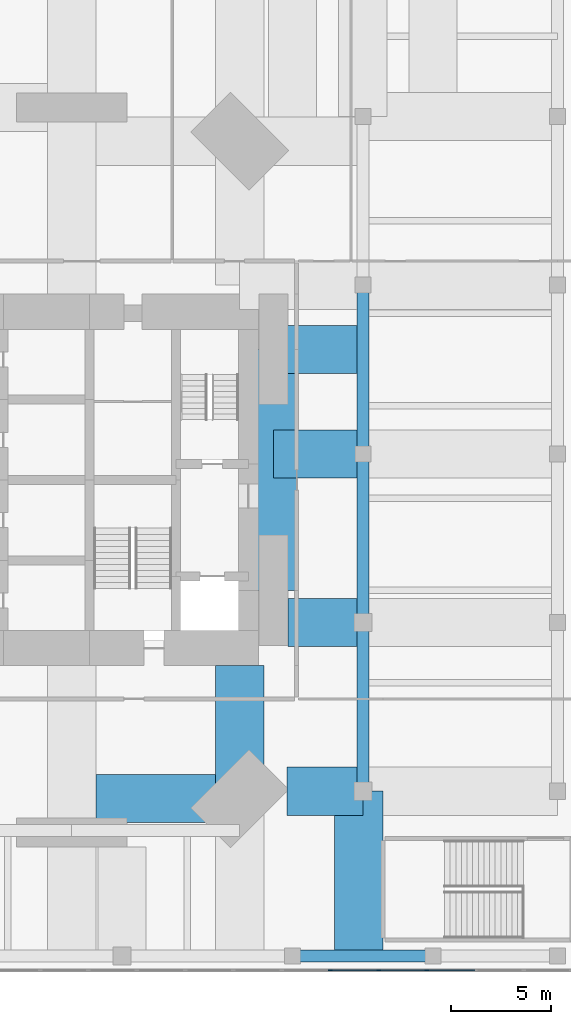
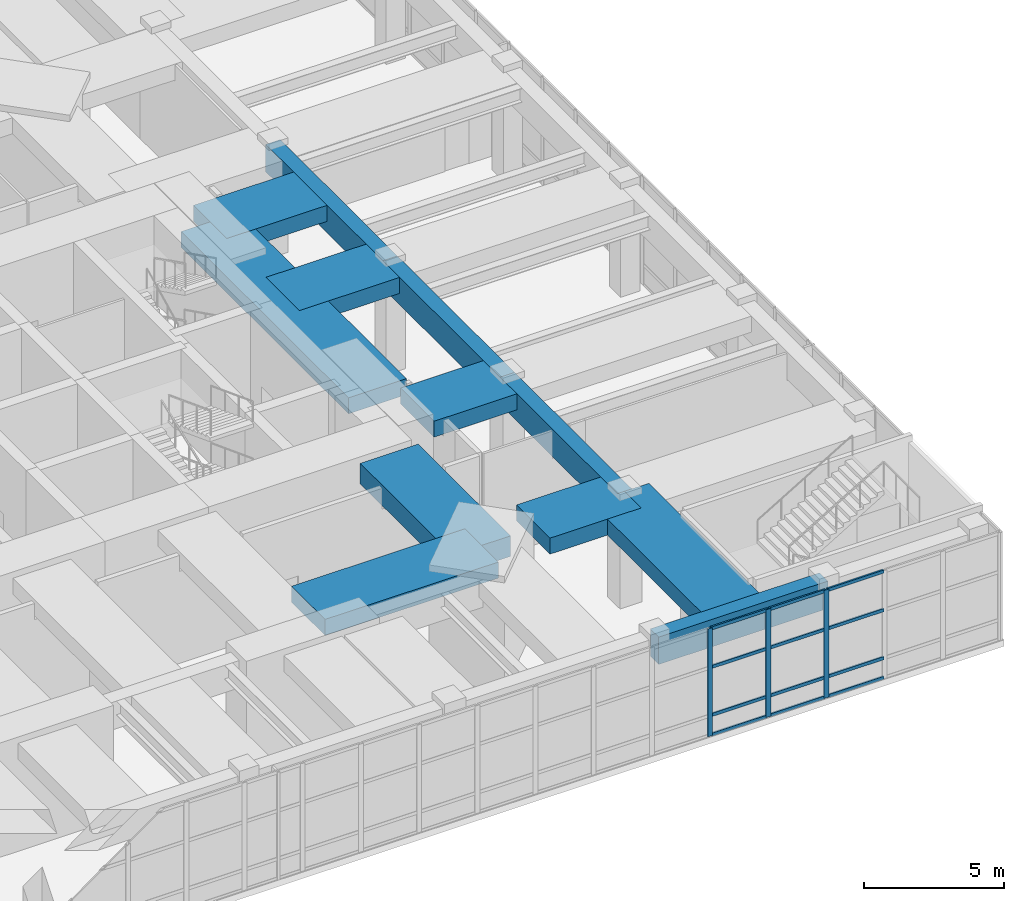
# One storey, part 6 of 24: 15 members, 12 beams, 1 element without a shape of its own.
"""IFC4 building model written with IfcOpenShell, lengths in metres."""

from ifc_helpers import new_model, si_unit, direction, frame, origin, origin_2d, place, context, subcontext, project, spatial, rectangle, extrude, material, material_profile, profile_set, type_object, element, aggregate, save


model = new_model("IFC4")

# Units and contexts
model_context = context("Model", 3, precision=1e-05, world=origin(), true_north=direction((0.0, 1.0)))
body_context = subcontext(model_context, "Body", "Model", "MODEL_VIEW")
ifc_project = project(units=[si_unit("LENGTHUNIT", "METRE"), si_unit("AREAUNIT", "SQUARE_METRE"), si_unit("VOLUMEUNIT", "CUBIC_METRE"), si_unit("PLANEANGLEUNIT", "RADIAN"), si_unit("MASSUNIT", "GRAM", prefix="KILO")], contexts=[model_context])

# Site, building, storey
site_placement = place(None, origin())
site = spatial("IfcSite", under=ifc_project, at=site_placement, CompositionType="ELEMENT")
building_placement = place(site_placement, origin())
building = spatial("IfcBuilding", under=site, at=building_placement, Name="Jalousie Tower", CompositionType="ELEMENT")
storey_placement = place(building_placement, frame((0.0, 0.0, 11.0)))
storey = spatial("IfcBuildingStorey", under=building, at=storey_placement, Name="L02", CompositionType="ELEMENT", Elevation=11.0)

# Curtain wall, members
ifc_material_1 = material(Name="Aluminium curtain wall", Category="aluminium")
curtain_wall_type = type_object("IfcCurtainWallType", Name="PODIUM WINDOW WALL", PredefinedType="USERDEFINED", material=ifc_material_1)
curtain_wall_placement = place(storey_placement, origin())
curtain_wall = element("IfcCurtainWall", 1, at=curtain_wall_placement, inside=storey, type_object=curtain_wall_type, Name="Podium Window Wall L02 1", ObjectType="PODIUM WINDOW WALL", PredefinedType="USERDEFINED")
ifc_material_2 = material(Name="Aluminium mullion", Category="aluminium")
ifc_material_profile_1 = material_profile(ifc_material_2, rectangle(XDim=0.070068359375, YDim=0.199951171875, at=origin_2d()), Name="MULLION 70x200")
ifc_profile_set_1 = profile_set([ifc_material_profile_1], Name="Aluminium mullion")
member_type_1 = type_object("IfcMemberType", Name="PODIUM WINDOW WALL MULLION", PredefinedType="MULLION", material=ifc_profile_set_1)
member_1_placement = place(storey_placement, frame((47.873779296875, -5.91259765625, 0.0), z_axis=(0.0, 0.0, 1.0), x_axis=(0.0, 1.0, 0.0)))
member_1 = element("IfcMember", 2, at=member_1_placement, type_object=member_type_1, Name="CW-P mullion 25", PredefinedType="MULLION", context=body_context, shape_type="SweptSolid", body=[
    extrude(rectangle(XDim=0.070068359375, YDim=0.199951171875, at=origin_2d()), origin(), (0.0, 0.0, 1.0), 4.719970703125),
])
member_2_placement = place(storey_placement, frame((50.281494140625, -5.91259765625, 0.0), z_axis=(0.0, 0.0, 1.0), x_axis=(0.0, 1.0, 0.0)))
member_2 = element("IfcMember", 3, at=member_2_placement, type_object=member_type_1, Name="CW-P mullion 26", PredefinedType="MULLION", context=body_context, shape_type="SweptSolid", body=[
    extrude(rectangle(XDim=0.070068359375, YDim=0.199951171875, at=origin_2d()), origin(), (0.0, 0.0, 1.0), 4.719970703125),
])
member_3_placement = place(storey_placement, frame((52.689208984375, -5.91259765625, 0.0), z_axis=(0.0, 0.0, 1.0), x_axis=(0.0, 1.0, 0.0)))
member_3 = element("IfcMember", 4, at=member_3_placement, type_object=member_type_1, Name="CW-P mullion 27", PredefinedType="MULLION", context=body_context, shape_type="SweptSolid", body=[
    extrude(rectangle(XDim=0.070068359375, YDim=0.199951171875, at=origin_2d()), origin(), (0.0, 0.0, 1.0), 4.719970703125),
])
ifc_material_3 = material(Name="Aluminium transom", Category="aluminium")
ifc_material_profile_2 = material_profile(ifc_material_3, rectangle(XDim=0.070068359375, YDim=0.139892578125, at=origin_2d()), Name="TRANSOM 70x140")
ifc_profile_set_2 = profile_set([ifc_material_profile_2], Name="Aluminium transom")
member_type_2 = type_object("IfcMemberType", Name="PODIUM WINDOW WALL TRANSOM", PredefinedType="USERDEFINED", material=ifc_profile_set_2)
member_4_placement = place(storey_placement, frame((47.90869140625, -5.91259765625, 0.034912109375), z_axis=(1.0, 0.0, 0.0), x_axis=(0.0, 1.0, 0.0)))
member_4 = element("IfcMember", 5, at=member_4_placement, type_object=member_type_2, Name="CW-P transom 25.1", ObjectType="TRANSOM", PredefinedType="USERDEFINED", context=body_context, shape_type="SweptSolid", body=[
    extrude(rectangle(XDim=0.070068359375, YDim=0.139892578125, at=origin_2d()), origin(), (0.0, 0.0, 1.0), 2.337890625),
])
member_5_placement = place(storey_placement, frame((47.90869140625, -5.91259765625, 0.89990234375), z_axis=(1.0, 0.0, 0.0), x_axis=(0.0, 1.0, 0.0)))
member_5 = element("IfcMember", 6, at=member_5_placement, type_object=member_type_2, Name="CW-P transom 25.2", ObjectType="TRANSOM", PredefinedType="USERDEFINED", context=body_context, shape_type="SweptSolid", body=[
    extrude(rectangle(XDim=0.070068359375, YDim=0.139892578125, at=origin_2d()), origin(), (0.0, 0.0, 1.0), 2.337890625),
])
member_6_placement = place(storey_placement, frame((47.90869140625, -5.91259765625, 3.0), z_axis=(1.0, 0.0, 0.0), x_axis=(0.0, 1.0, 0.0)))
member_6 = element("IfcMember", 7, at=member_6_placement, type_object=member_type_2, Name="CW-P transom 25.3", ObjectType="TRANSOM", PredefinedType="USERDEFINED", context=body_context, shape_type="SweptSolid", body=[
    extrude(rectangle(XDim=0.070068359375, YDim=0.139892578125, at=origin_2d()), origin(), (0.0, 0.0, 1.0), 2.337890625),
])
member_7_placement = place(storey_placement, frame((47.90869140625, -5.91259765625, 4.68505859375), z_axis=(1.0, 0.0, 0.0), x_axis=(0.0, 1.0, 0.0)))
member_7 = element("IfcMember", 8, at=member_7_placement, type_object=member_type_2, Name="CW-P transom 25.4", ObjectType="TRANSOM", PredefinedType="USERDEFINED", context=body_context, shape_type="SweptSolid", body=[
    extrude(rectangle(XDim=0.070068359375, YDim=0.139892578125, at=origin_2d()), origin(), (0.0, 0.0, 1.0), 2.337890625),
])
member_8_placement = place(storey_placement, frame((50.31640625, -5.91259765625, 0.034912109375), z_axis=(1.0, 0.0, 0.0), x_axis=(0.0, 1.0, 0.0)))
member_8 = element("IfcMember", 9, at=member_8_placement, type_object=member_type_2, Name="CW-P transom 26.1", ObjectType="TRANSOM", PredefinedType="USERDEFINED", context=body_context, shape_type="SweptSolid", body=[
    extrude(rectangle(XDim=0.070068359375, YDim=0.139892578125, at=origin_2d()), origin(), (0.0, 0.0, 1.0), 2.337890625),
])
member_9_placement = place(storey_placement, frame((50.31640625, -5.91259765625, 0.89990234375), z_axis=(1.0, 0.0, 0.0), x_axis=(0.0, 1.0, 0.0)))
member_9 = element("IfcMember", 10, at=member_9_placement, type_object=member_type_2, Name="CW-P transom 26.2", ObjectType="TRANSOM", PredefinedType="USERDEFINED", context=body_context, shape_type="SweptSolid", body=[
    extrude(rectangle(XDim=0.070068359375, YDim=0.139892578125, at=origin_2d()), origin(), (0.0, 0.0, 1.0), 2.337890625),
])
member_10_placement = place(storey_placement, frame((50.31640625, -5.91259765625, 3.0), z_axis=(1.0, 0.0, 0.0), x_axis=(0.0, 1.0, 0.0)))
member_10 = element("IfcMember", 11, at=member_10_placement, type_object=member_type_2, Name="CW-P transom 26.3", ObjectType="TRANSOM", PredefinedType="USERDEFINED", context=body_context, shape_type="SweptSolid", body=[
    extrude(rectangle(XDim=0.070068359375, YDim=0.139892578125, at=origin_2d()), origin(), (0.0, 0.0, 1.0), 2.337890625),
])
member_11_placement = place(storey_placement, frame((50.31640625, -5.91259765625, 4.68505859375), z_axis=(1.0, 0.0, 0.0), x_axis=(0.0, 1.0, 0.0)))
member_11 = element("IfcMember", 12, at=member_11_placement, type_object=member_type_2, Name="CW-P transom 26.4", ObjectType="TRANSOM", PredefinedType="USERDEFINED", context=body_context, shape_type="SweptSolid", body=[
    extrude(rectangle(XDim=0.070068359375, YDim=0.139892578125, at=origin_2d()), origin(), (0.0, 0.0, 1.0), 2.337890625),
])
member_12_placement = place(storey_placement, frame((52.72412109375, -5.91259765625, 0.034912109375), z_axis=(1.0, 0.0, 0.0), x_axis=(0.0, 1.0, 0.0)))
member_12 = element("IfcMember", 13, at=member_12_placement, type_object=member_type_2, Name="CW-P transom 27.1", ObjectType="TRANSOM", PredefinedType="USERDEFINED", context=body_context, shape_type="SweptSolid", body=[
    extrude(rectangle(XDim=0.070068359375, YDim=0.139892578125, at=origin_2d()), origin(), (0.0, 0.0, 1.0), 2.337890625),
])
member_13_placement = place(storey_placement, frame((52.72412109375, -5.91259765625, 0.89990234375), z_axis=(1.0, 0.0, 0.0), x_axis=(0.0, 1.0, 0.0)))
member_13 = element("IfcMember", 14, at=member_13_placement, type_object=member_type_2, Name="CW-P transom 27.2", ObjectType="TRANSOM", PredefinedType="USERDEFINED", context=body_context, shape_type="SweptSolid", body=[
    extrude(rectangle(XDim=0.070068359375, YDim=0.139892578125, at=origin_2d()), origin(), (0.0, 0.0, 1.0), 2.337890625),
])
member_14_placement = place(storey_placement, frame((52.72412109375, -5.91259765625, 3.0), z_axis=(1.0, 0.0, 0.0), x_axis=(0.0, 1.0, 0.0)))
member_14 = element("IfcMember", 15, at=member_14_placement, type_object=member_type_2, Name="CW-P transom 27.3", ObjectType="TRANSOM", PredefinedType="USERDEFINED", context=body_context, shape_type="SweptSolid", body=[
    extrude(rectangle(XDim=0.070068359375, YDim=0.139892578125, at=origin_2d()), origin(), (0.0, 0.0, 1.0), 2.337890625),
])
member_15_placement = place(storey_placement, frame((52.72412109375, -5.91259765625, 4.68505859375), z_axis=(1.0, 0.0, 0.0), x_axis=(0.0, 1.0, 0.0)))
member_15 = element("IfcMember", 16, at=member_15_placement, type_object=member_type_2, Name="CW-P transom 27.4", ObjectType="TRANSOM", PredefinedType="USERDEFINED", context=body_context, shape_type="SweptSolid", body=[
    extrude(rectangle(XDim=0.070068359375, YDim=0.139892578125, at=origin_2d()), origin(), (0.0, 0.0, 1.0), 2.337890625),
])
aggregate(curtain_wall, [member_1, member_2, member_3, member_4, member_5, member_6, member_7, member_8, member_9, member_10, member_11, member_12, member_13, member_14, member_15])

# Beams
ifc_material_4 = material(Name="Concrete f'c 40 MPa", Category="concrete")
ifc_material_profile_3 = material_profile(ifc_material_4, rectangle(XDim=2.39990234375, YDim=0.699951171875, at=origin_2d()), Name="RC 2400x700")
ifc_profile_set_3 = profile_set([ifc_material_profile_3], Name="Concrete f'c 40 MPa")
beam_type_1 = type_object("IfcBeamType", Name="RC BEAM 2400x700", PredefinedType="BEAM", material=ifc_profile_set_3)
beam_1_placement = place(storey_placement, frame((45.050048828125, 13.0, 4.3701171875), z_axis=(0.0, 1.0, 0.0), x_axis=(-1.0, 0.0, 0.0)))
element("IfcBeam", 17, at=beam_1_placement, inside=storey, type_object=beam_type_1, Name="Floor band beam under L03", PredefinedType="BEAM", context=body_context, shape_type="SweptSolid", body=[
    extrude(rectangle(XDim=2.39990234375, YDim=0.699951171875, at=origin_2d()), origin(), (0.0, 0.0, 1.0), 12.0),
])
beam_2_placement = place(storey_placement, frame((49.5, 11.39990234375, 4.3701171875), z_axis=(-1.0, 0.0, 0.0), x_axis=(0.0, -1.0, 0.0)))
element("IfcBeam", 18, at=beam_2_placement, inside=storey, type_object=beam_type_1, Name="Floor band beam under L03", PredefinedType="BEAM", context=body_context, shape_type="SweptSolid", body=[
    extrude(rectangle(XDim=2.39990234375, YDim=0.699951171875, at=origin_2d()), origin(), (0.0, 0.0, 1.0), 3.72509765625),
])
beam_3_placement = place(storey_placement, frame((49.5, 19.800048828125, 4.3701171875), z_axis=(-1.0, 0.0, 0.0), x_axis=(0.0, -1.0, 0.0)))
element("IfcBeam", 19, at=beam_3_placement, inside=storey, type_object=beam_type_1, Name="Floor band beam under L03", PredefinedType="BEAM", context=body_context, shape_type="SweptSolid", body=[
    extrude(rectangle(XDim=2.39990234375, YDim=0.699951171875, at=origin_2d()), origin(), (0.0, 0.0, 1.0), 4.449951171875),
])
beam_4_placement = place(storey_placement, frame((43.36865234375, 2.63134765625, 4.3701171875), z_axis=(-1.0, 0.0, 0.0), x_axis=(0.0, -1.0, 0.0)))
element("IfcBeam", 20, at=beam_4_placement, inside=storey, type_object=beam_type_1, Name="Floor band beam under L03", PredefinedType="BEAM", context=body_context, shape_type="SweptSolid", body=[
    extrude(rectangle(XDim=2.39990234375, YDim=0.699951171875, at=origin_2d()), origin(), (0.0, 0.0, 1.0), 7.168701171875),
])
beam_5_placement = place(storey_placement, frame((45.050048828125, 25.0, 4.3701171875), z_axis=(1.0, 0.0, 0.0), x_axis=(0.0, 1.0, 0.0)))
element("IfcBeam", 21, at=beam_5_placement, inside=storey, type_object=beam_type_1, Name="Floor band beam under L03", PredefinedType="BEAM", context=body_context, shape_type="SweptSolid", body=[
    extrude(rectangle(XDim=2.39990234375, YDim=0.699951171875, at=origin_2d()), origin(), (0.0, 0.0, 1.0), 4.449951171875),
])
beam_6_placement = place(storey_placement, frame((49.5, 3.0, 4.3701171875), z_axis=(-1.0, 0.0, 0.0), x_axis=(0.0, -1.0, 0.0)))
element("IfcBeam", 22, at=beam_6_placement, inside=storey, type_object=beam_type_1, Name="Floor band beam under L03", PredefinedType="BEAM", context=body_context, shape_type="SweptSolid", body=[
    extrude(rectangle(XDim=2.39990234375, YDim=0.699951171875, at=origin_2d()), origin(), (0.0, 0.0, 1.0), 3.782958984375),
])
beam_7_placement = place(storey_placement, frame((49.300048828125, 3.0, 4.3701171875), z_axis=(0.0, -1.0, 0.0), x_axis=(1.0, 0.0, 0.0)))
element("IfcBeam", 23, at=beam_7_placement, inside=storey, type_object=beam_type_1, Name="Floor band beam under L03", PredefinedType="BEAM", context=body_context, shape_type="SweptSolid", body=[
    extrude(rectangle(XDim=2.39990234375, YDim=0.699951171875, at=origin_2d()), origin(), (0.0, 0.0, 1.0), 8.199951171875),
])
ifc_material_5 = material(Name="Concrete f'c 40 MPa", Category="concrete")
ifc_material_profile_4 = material_profile(ifc_material_5, rectangle(XDim=2.39990234375, YDim=0.89990234375, at=origin_2d()), Name="RC 2400x900")
ifc_profile_set_4 = profile_set([ifc_material_profile_4], Name="Concrete f'c 40 MPa")
beam_type_2 = type_object("IfcBeamType", Name="RC BEAM 2400x900", PredefinedType="BEAM", material=ifc_profile_set_4)
beam_8_placement = place(storey_placement, frame((43.36865234375, 2.63134765625, 4.27001953125), z_axis=(0.0, 1.0, 0.0), x_axis=(-1.0, 0.0, 0.0)))
element("IfcBeam", 24, at=beam_8_placement, inside=storey, type_object=beam_type_2, Name="Floor band beam under L03", PredefinedType="BEAM", context=body_context, shape_type="SweptSolid", body=[
    extrude(rectangle(XDim=2.39990234375, YDim=0.89990234375, at=origin_2d()), origin(), (0.0, 0.0, 1.0), 6.61865234375),
])
ifc_material_6 = material(Name="Concrete f'c 40 MPa", Category="concrete")
ifc_material_profile_5 = material_profile(ifc_material_6, rectangle(XDim=0.60009765625, YDim=1.199951171875, at=origin_2d()), Name="RC 600x1200")
ifc_profile_set_5 = profile_set([ifc_material_profile_5], Name="Concrete f'c 40 MPa")
beam_type_3 = type_object("IfcBeamType", Name="RC BEAM 600x1200", PredefinedType="BEAM", material=ifc_profile_set_5)
beam_9_placement = place(storey_placement, frame((46.0, -5.199951171875, 4.1201171875), z_axis=(1.0, 0.0, 0.0), x_axis=(0.0, 1.0, 0.0)))
element("IfcBeam", 25, at=beam_9_placement, inside=storey, type_object=beam_type_3, Name="Podium plant girder under L03 line y -5.2", PredefinedType="BEAM", context=body_context, shape_type="SweptSolid", body=[
    extrude(rectangle(XDim=0.60009765625, YDim=1.199951171875, at=origin_2d()), origin(), (0.0, 0.0, 1.0), 7.0),
])
beam_10_placement = place(storey_placement, frame((49.5, 3.0, 4.1201171875), z_axis=(0.0, 1.0, 0.0), x_axis=(-1.0, 0.0, 0.0)))
element("IfcBeam", 26, at=beam_10_placement, inside=storey, type_object=beam_type_3, Name="Podium plant girder under L03 line x 49.5", PredefinedType="BEAM", context=body_context, shape_type="SweptSolid", body=[
    extrude(rectangle(XDim=0.60009765625, YDim=1.199951171875, at=origin_2d()), origin(), (0.0, 0.0, 1.0), 8.39990234375),
])
beam_11_placement = place(storey_placement, frame((49.5, 11.39990234375, 4.1201171875), z_axis=(0.0, 1.0, 0.0), x_axis=(-1.0, 0.0, 0.0)))
element("IfcBeam", 27, at=beam_11_placement, inside=storey, type_object=beam_type_3, Name="Podium plant girder under L03 line x 49.5", PredefinedType="BEAM", context=body_context, shape_type="SweptSolid", body=[
    extrude(rectangle(XDim=0.60009765625, YDim=1.199951171875, at=origin_2d()), origin(), (0.0, 0.0, 1.0), 8.400146484375),
])
beam_12_placement = place(storey_placement, frame((49.5, 19.800048828125, 4.1201171875), z_axis=(0.0, 1.0, 0.0), x_axis=(-1.0, 0.0, 0.0)))
element("IfcBeam", 28, at=beam_12_placement, inside=storey, type_object=beam_type_3, Name="Podium plant girder under L03 line x 49.5", PredefinedType="BEAM", context=body_context, shape_type="SweptSolid", body=[
    extrude(rectangle(XDim=0.60009765625, YDim=1.199951171875, at=origin_2d()), origin(), (0.0, 0.0, 1.0), 8.39990234375),
])

save(model, "model.ifc")
